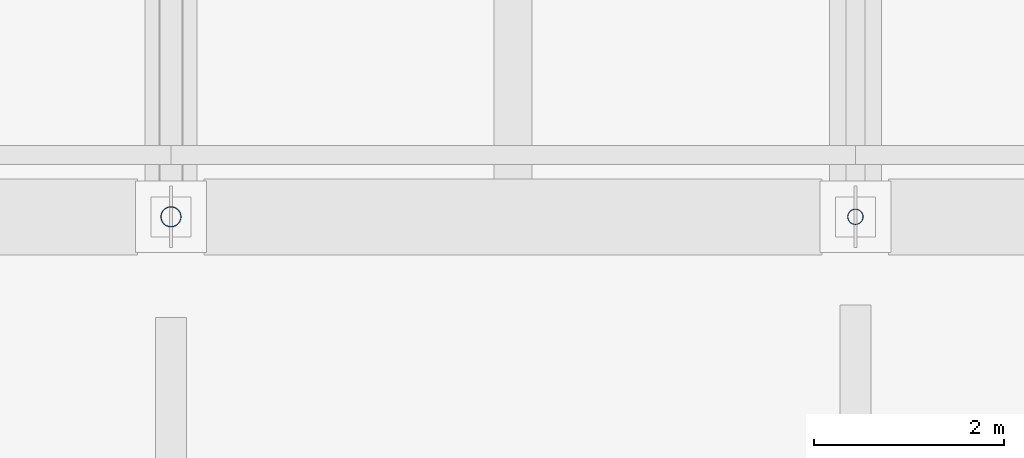
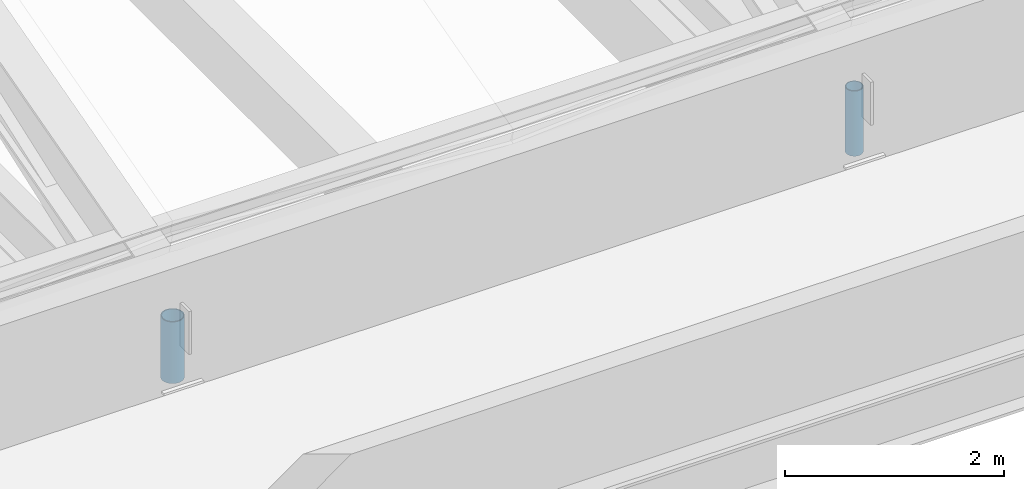
# One storey, part 36 of 53: 2 members.
"""IFC4 building model written with IfcOpenShell, lengths in metres."""

from ifc_helpers import new_model, si_unit, direction, frame, origin, origin_2d, place, context, subcontext, project, spatial, hollow_circle, extrude, material, material_profile, profile_set, type_object, element, save


model = new_model("IFC4")

# Units and contexts
model_context = context("Model", 3, precision=1e-05, world=origin(), true_north=direction((0.0, 1.0)))
body_context = subcontext(model_context, "Body", "Model", "MODEL_VIEW")
ifc_project = project(units=[si_unit("LENGTHUNIT", "METRE"), si_unit("AREAUNIT", "SQUARE_METRE"), si_unit("VOLUMEUNIT", "CUBIC_METRE"), si_unit("PLANEANGLEUNIT", "RADIAN"), si_unit("MASSUNIT", "GRAM", prefix="KILO")], contexts=[model_context])

# Site, building, storey
site_placement = place(None, origin())
site = spatial("IfcSite", under=ifc_project, at=site_placement, CompositionType="ELEMENT")
building_placement = place(site_placement, origin())
building = spatial("IfcBuilding", under=site, at=building_placement, Name="Pellamere Symphony Hall", CompositionType="ELEMENT")
storey_placement = place(building_placement, frame((0.0, 0.0, 24.0)))
storey = spatial("IfcBuildingStorey", under=building, at=storey_placement, Name="L05", CompositionType="ELEMENT", Elevation=24.0)

# Members
ifc_material = material(Name="Steel CSA G40.21 350W", Category="steel")
ifc_material_profile_1 = material_profile(ifc_material, hollow_circle(Radius=0.109619140625, WallThickness=0.009521484375, at=origin_2d()), Name="HSS219X10")
ifc_profile_set_1 = profile_set([ifc_material_profile_1], Name="Steel CSA G40.21 350W")
member_type_1 = type_object("IfcMemberType", Name="Steel Member SM-13 HSS219X10", PredefinedType="STRUT", material=ifc_profile_set_1)
member_1_placement = place(storey_placement, frame((73.199951171875, 30.0, 0.159912109375), z_axis=(0.0, 0.0, 1.0), x_axis=(1.0, 0.0, 0.0)))
element("IfcMember", 1, at=member_1_placement, inside=storey, type_object=member_type_1, Name="Roof Truss TR-03 Vertical Post 0", PredefinedType="STRUT", context=body_context, shape_type="SweptSolid", body=[
    extrude(hollow_circle(Radius=0.109619140625, WallThickness=0.009521484375, at=origin_2d()), origin(), (0.0, 0.0, 1.0), 0.6884765625),
])
ifc_material_profile_2 = material_profile(ifc_material, hollow_circle(Radius=0.084228515625, WallThickness=0.008056640625, at=origin_2d()), Name="HSS168X8")
ifc_profile_set_2 = profile_set([ifc_material_profile_2], Name="Steel CSA G40.21 350W")
member_type_2 = type_object("IfcMemberType", Name="Steel Member SM-14 HSS168X8", PredefinedType="COLLAR", material=ifc_profile_set_2)
member_2_placement = place(storey_placement, frame((80.39990234375, 30.0, 0.159912109375), z_axis=(0.0, 0.0, 1.0), x_axis=(1.0, 0.0, 0.0)))
element("IfcMember", 2, at=member_2_placement, inside=storey, type_object=member_type_2, Name="Roof Truss TR-04 Vertical Post 0", PredefinedType="COLLAR", context=body_context, shape_type="SweptSolid", body=[
    extrude(hollow_circle(Radius=0.084228515625, WallThickness=0.008056640625, at=origin_2d()), origin(), (0.0, 0.0, 1.0), 0.7275390625),
])

save(model, "model.ifc")
